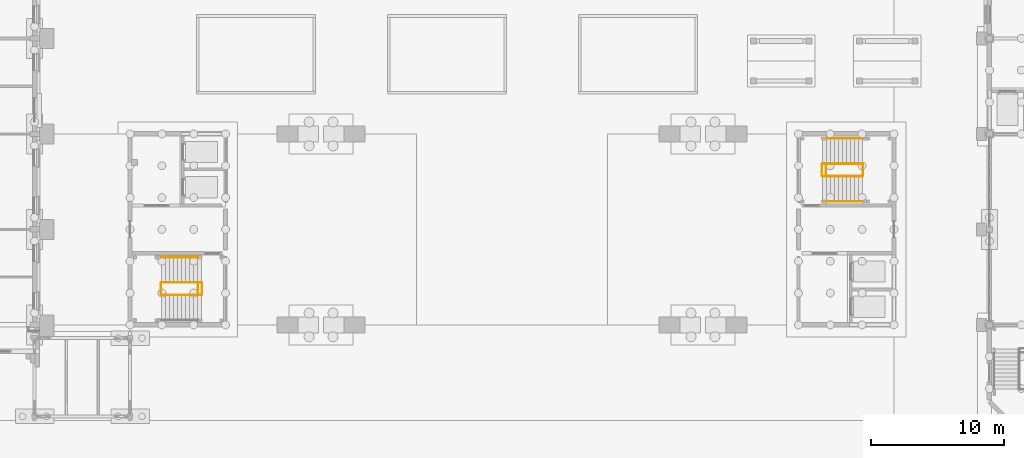
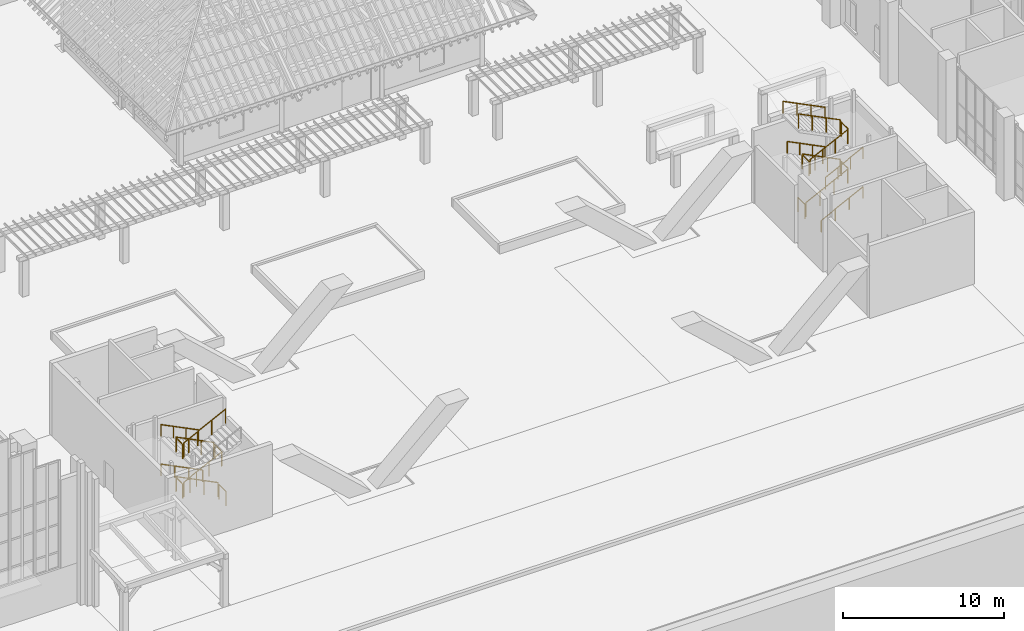
# One storey, part 74 of 84: 22 railings.
"""IFC4 building model written with IfcOpenShell, lengths in metres."""

from ifc_helpers import new_model, si_unit, direction, frame, origin, origin_2d, place, context, subcontext, project, spatial, circle, extrude, material, type_object, element, save


model = new_model("IFC4")

# Units and contexts
model_context = context("Model", 3, precision=1e-05, world=origin(), true_north=direction((0.0, 1.0)))
body_context = subcontext(model_context, "Body", "Model", "MODEL_VIEW")
ifc_project = project(units=[si_unit("LENGTHUNIT", "METRE"), si_unit("AREAUNIT", "SQUARE_METRE"), si_unit("VOLUMEUNIT", "CUBIC_METRE"), si_unit("PLANEANGLEUNIT", "RADIAN"), si_unit("MASSUNIT", "GRAM", prefix="KILO")], contexts=[model_context])

# Site, building, storey
site_placement = place(None, origin())
site = spatial("IfcSite", under=ifc_project, at=site_placement, CompositionType="ELEMENT")
building_placement = place(site_placement, origin())
building = spatial("IfcBuilding", under=site, at=building_placement, Name="Mazhai Court Health Centre", CompositionType="ELEMENT")
storey_placement = place(building_placement, origin())
storey = spatial("IfcBuildingStorey", under=building, at=storey_placement, Name="L00", CompositionType="ELEMENT", Elevation=0.0)

# Railings
ifc_material_1 = material(Name="Steel IS 2062 E250", Category="steel")
railing_type_1 = type_object("IfcRailingType", Name="STAIR GUARD 1100", PredefinedType="GUARDRAIL", material=ifc_material_1)
railing_1_placement = place(storey_placement, frame((76.375, 16.594970703125, 0.14990234375)))
element("IfcRailing", 1, at=railing_1_placement, inside=storey, type_object=railing_type_1, Name="L00 ST6 stair guard 1", PredefinedType="GUARDRAIL", context=body_context, shape_type="SweptSolid", body=[
    extrude(circle(Radius=0.02392578125, at=origin_2d()), frame((0.0, 0.0, 1.076171875), z_axis=(-0.894427191, 0.0, 0.4472135955), x_axis=(0.0, -1.0, 0.0)), (0.0, 0.0, 1.0), 3.35400390625),
    extrude(circle(Radius=0.02099609375, at=origin_2d()), origin(), (0.0, 0.0, 1.0), 1.052001953125),
    extrude(circle(Radius=0.02099609375, at=origin_2d()), frame((-1.0, 0.0, 0.5)), (0.0, 0.0, 1.0), 1.052001953125),
    extrude(circle(Radius=0.02099609375, at=origin_2d()), frame((-2.0, 0.0, 1.0)), (0.0, 0.0, 1.0), 1.052001953125),
    extrude(circle(Radius=0.02099609375, at=origin_2d()), frame((-3.0, 0.0, 1.5)), (0.0, 0.0, 1.0), 1.052001953125),
])
railing_2_placement = place(storey_placement, frame((73.324951171875, 16.544921875, 1.64990234375)))
element("IfcRailing", 2, at=railing_2_placement, inside=storey, type_object=railing_type_1, Name="L00 ST6 stair guard 2", PredefinedType="GUARDRAIL", context=body_context, shape_type="SweptSolid", body=[
    extrude(circle(Radius=0.02392578125, at=origin_2d()), frame((0.0, 0.0, 1.076171875), z_axis=(0.0, -1.0, 0.0), x_axis=(1.0, 0.0, 0.0)), (0.0, 0.0, 1.0), 0.849853515625),
    extrude(circle(Radius=0.02099609375, at=origin_2d()), origin(), (0.0, 0.0, 1.0), 1.052001953125),
    extrude(circle(Radius=0.02099609375, at=origin_2d()), frame((0.0, -0.849853515625, 0.0)), (0.0, 0.0, 1.0), 1.052001953125),
])
railing_3_placement = place(storey_placement, frame((73.375, 15.64501953125, 1.800048828125)))
element("IfcRailing", 3, at=railing_3_placement, inside=storey, type_object=railing_type_1, Name="L00 ST6 stair guard 3", PredefinedType="GUARDRAIL", context=body_context, shape_type="SweptSolid", body=[
    extrude(circle(Radius=0.02392578125, at=origin_2d()), frame((0.0, 0.0, 1.076171875), z_axis=(0.89444336626, 0.0, 0.447181243517), x_axis=(0.0, 1.0, 0.0)), (0.0, 0.0, 1.0), 3.0185546875),
    extrude(circle(Radius=0.02099609375, at=origin_2d()), origin(), (0.0, 0.0, 1.0), 1.052001953125),
    extrude(circle(Radius=0.02099609375, at=origin_2d()), frame((0.89990234375, 0.0, 0.449951171875)), (0.0, 0.0, 1.0), 1.052001953125),
    extrude(circle(Radius=0.02099609375, at=origin_2d()), frame((1.800048828125, 0.0, 0.89990234375)), (0.0, 0.0, 1.0), 1.052001953125),
    extrude(circle(Radius=0.02099609375, at=origin_2d()), frame((2.699951171875, 0.0, 1.349853515625)), (0.0, 0.0, 1.0), 1.052001953125),
])
railing_4_placement = place(storey_placement, frame((76.125, 16.544921875, 3.14990234375)))
element("IfcRailing", 4, at=railing_4_placement, inside=storey, type_object=railing_type_1, Name="L00 ST6 stair guard 4", PredefinedType="GUARDRAIL", context=body_context, shape_type="SweptSolid", body=[
    extrude(circle(Radius=0.02392578125, at=origin_2d()), frame((0.0, 0.0, 1.076171875), z_axis=(0.0, -1.0, 0.0), x_axis=(1.0, 0.0, 0.0)), (0.0, 0.0, 1.0), 0.849853515625),
    extrude(circle(Radius=0.02099609375, at=origin_2d()), origin(), (0.0, 0.0, 1.0), 1.052001953125),
    extrude(circle(Radius=0.02099609375, at=origin_2d()), frame((0.0, -0.849853515625, 0.0)), (0.0, 0.0, 1.0), 1.052001953125),
])
railing_5_placement = place(storey_placement, frame((76.074951171875, 16.594970703125, 3.300048828125)))
element("IfcRailing", 5, at=railing_5_placement, inside=storey, type_object=railing_type_1, Name="L00 ST6 stair guard 5", PredefinedType="GUARDRAIL", context=body_context, shape_type="SweptSolid", body=[
    extrude(circle(Radius=0.02392578125, at=origin_2d()), frame((0.0, 0.0, 1.076171875), z_axis=(-0.89444336626, 0.0, 0.447181243517), x_axis=(0.0, -1.0, 0.0)), (0.0, 0.0, 1.0), 3.0185546875),
    extrude(circle(Radius=0.02099609375, at=origin_2d()), origin(), (0.0, 0.0, 1.0), 1.052001953125),
    extrude(circle(Radius=0.02099609375, at=origin_2d()), frame((-0.89990234375, 0.0, 0.449951171875)), (0.0, 0.0, 1.0), 1.052001953125),
    extrude(circle(Radius=0.02099609375, at=origin_2d()), frame((-1.800048828125, 0.0, 0.89990234375)), (0.0, 0.0, 1.0), 1.052001953125),
    extrude(circle(Radius=0.02099609375, at=origin_2d()), frame((-2.699951171875, 0.0, 1.349853515625)), (0.0, 0.0, 1.0), 1.052001953125),
])
railing_6_placement = place(storey_placement, frame((73.324951171875, 16.544921875, 4.64990234375)))
element("IfcRailing", 6, at=railing_6_placement, inside=storey, type_object=railing_type_1, Name="L00 ST6 stair guard 6", PredefinedType="GUARDRAIL", context=body_context, shape_type="SweptSolid", body=[
    extrude(circle(Radius=0.02392578125, at=origin_2d()), frame((0.0, 0.0, 1.076171875), z_axis=(0.0, -1.0, 0.0), x_axis=(1.0, 0.0, 0.0)), (0.0, 0.0, 1.0), 0.849853515625),
    extrude(circle(Radius=0.02099609375, at=origin_2d()), origin(), (0.0, 0.0, 1.0), 1.052001953125),
    extrude(circle(Radius=0.02099609375, at=origin_2d()), frame((0.0, -0.849853515625, 0.0)), (0.0, 0.0, 1.0), 1.052001953125),
])
railing_7_placement = place(storey_placement, frame((73.375, 15.64501953125, 4.800048828125)))
element("IfcRailing", 7, at=railing_7_placement, inside=storey, type_object=railing_type_1, Name="L00 ST6 stair guard 7", PredefinedType="GUARDRAIL", context=body_context, shape_type="SweptSolid", body=[
    extrude(circle(Radius=0.02392578125, at=origin_2d()), frame((0.0, 0.0, 1.076171875), z_axis=(0.894427191, 0.0, 0.4472135955), x_axis=(0.0, 1.0, 0.0)), (0.0, 0.0, 1.0), 3.35400390625),
    extrude(circle(Radius=0.02099609375, at=origin_2d()), origin(), (0.0, 0.0, 1.0), 1.052001953125),
    extrude(circle(Radius=0.02099609375, at=origin_2d()), frame((1.0, 0.0, 0.5)), (0.0, 0.0, 1.0), 1.052001953125),
    extrude(circle(Radius=0.02099609375, at=origin_2d()), frame((2.0, 0.0, 1.0)), (0.0, 0.0, 1.0), 1.052001953125),
    extrude(circle(Radius=0.02099609375, at=origin_2d()), frame((3.0, 0.0, 1.5)), (0.0, 0.0, 1.0), 1.052001953125),
])
railing_8_placement = place(storey_placement, frame((76.425048828125, 16.544921875, 0.0)))
element("IfcRailing", 8, at=railing_8_placement, inside=storey, type_object=railing_type_1, Name="L00 ST6 stair guard 8", PredefinedType="GUARDRAIL", context=body_context, shape_type="SweptSolid", body=[
    extrude(circle(Radius=0.02392578125, at=origin_2d()), frame((0.0, 0.0, 1.076171875), z_axis=(0.0, -1.0, 0.0), x_axis=(1.0, 0.0, 0.0)), (0.0, 0.0, 1.0), 0.849853515625),
    extrude(circle(Radius=0.02099609375, at=origin_2d()), origin(), (0.0, 0.0, 1.0), 1.052001953125),
    extrude(circle(Radius=0.02099609375, at=origin_2d()), frame((0.0, -0.849853515625, 0.0)), (0.0, 0.0, 1.0), 1.052001953125),
])
railing_9_placement = place(storey_placement, frame((123.22509765625, 24.60498046875, 0.14990234375)))
element("IfcRailing", 9, at=railing_9_placement, inside=storey, type_object=railing_type_1, Name="L00 ST7 stair guard 1", PredefinedType="GUARDRAIL", context=body_context, shape_type="SweptSolid", body=[
    extrude(circle(Radius=0.02392578125, at=origin_2d()), frame((0.0, 0.0, 1.076171875), z_axis=(0.894427191, 0.0, 0.4472135955), x_axis=(0.0, 1.0, 0.0)), (0.0, 0.0, 1.0), 3.35400390625),
    extrude(circle(Radius=0.02099609375, at=origin_2d()), origin(), (0.0, 0.0, 1.0), 1.052001953125),
    extrude(circle(Radius=0.02099609375, at=origin_2d()), frame((1.0, 0.0, 0.5)), (0.0, 0.0, 1.0), 1.052001953125),
    extrude(circle(Radius=0.02099609375, at=origin_2d()), frame((2.0, 0.0, 1.0)), (0.0, 0.0, 1.0), 1.052001953125),
    extrude(circle(Radius=0.02099609375, at=origin_2d()), frame((3.0, 0.0, 1.5)), (0.0, 0.0, 1.0), 1.052001953125),
])
railing_10_placement = place(storey_placement, frame((126.27490234375, 24.655029296875, 1.64990234375)))
element("IfcRailing", 10, at=railing_10_placement, inside=storey, type_object=railing_type_1, Name="L00 ST7 stair guard 2", PredefinedType="GUARDRAIL", context=body_context, shape_type="SweptSolid", body=[
    extrude(circle(Radius=0.02392578125, at=origin_2d()), frame((0.0, 0.0, 1.076171875), z_axis=(0.0, 1.0, 0.0), x_axis=(-1.0, 0.0, 0.0)), (0.0, 0.0, 1.0), 0.849853515625),
    extrude(circle(Radius=0.02099609375, at=origin_2d()), origin(), (0.0, 0.0, 1.0), 1.052001953125),
    extrude(circle(Radius=0.02099609375, at=origin_2d()), frame((0.0, 0.849853515625, 0.0)), (0.0, 0.0, 1.0), 1.052001953125),
])
railing_11_placement = place(storey_placement, frame((126.22509765625, 25.554931640625, 1.800048828125)))
element("IfcRailing", 11, at=railing_11_placement, inside=storey, type_object=railing_type_1, Name="L00 ST7 stair guard 3", PredefinedType="GUARDRAIL", context=body_context, shape_type="SweptSolid", body=[
    extrude(circle(Radius=0.02392578125, at=origin_2d()), frame((0.0, 0.0, 1.076171875), z_axis=(-0.89445953801, 0.0, 0.447148895629), x_axis=(0.0, -1.0, 0.0)), (0.0, 0.0, 1.0), 3.018798828125),
    extrude(circle(Radius=0.02099609375, at=origin_2d()), origin(), (0.0, 0.0, 1.0), 1.052001953125),
    extrude(circle(Radius=0.02099609375, at=origin_2d()), frame((-0.900146484375, 0.0, 0.449951171875)), (0.0, 0.0, 1.0), 1.052001953125),
    extrude(circle(Radius=0.02099609375, at=origin_2d()), frame((-1.800048828125, 0.0, 0.89990234375)), (0.0, 0.0, 1.0), 1.052001953125),
    extrude(circle(Radius=0.02099609375, at=origin_2d()), frame((-2.7001953125, 0.0, 1.349853515625)), (0.0, 0.0, 1.0), 1.052001953125),
])
railing_12_placement = place(storey_placement, frame((123.47509765625, 24.655029296875, 3.14990234375)))
element("IfcRailing", 12, at=railing_12_placement, inside=storey, type_object=railing_type_1, Name="L00 ST7 stair guard 4", PredefinedType="GUARDRAIL", context=body_context, shape_type="SweptSolid", body=[
    extrude(circle(Radius=0.02392578125, at=origin_2d()), frame((0.0, 0.0, 1.076171875), z_axis=(0.0, 1.0, 0.0), x_axis=(-1.0, 0.0, 0.0)), (0.0, 0.0, 1.0), 0.849853515625),
    extrude(circle(Radius=0.02099609375, at=origin_2d()), origin(), (0.0, 0.0, 1.0), 1.052001953125),
    extrude(circle(Radius=0.02099609375, at=origin_2d()), frame((0.0, 0.849853515625, 0.0)), (0.0, 0.0, 1.0), 1.052001953125),
])
railing_13_placement = place(storey_placement, frame((123.52490234375, 24.60498046875, 3.300048828125)))
element("IfcRailing", 13, at=railing_13_placement, inside=storey, type_object=railing_type_1, Name="L00 ST7 stair guard 5", PredefinedType="GUARDRAIL", context=body_context, shape_type="SweptSolid", body=[
    extrude(circle(Radius=0.02392578125, at=origin_2d()), frame((0.0, 0.0, 1.076171875), z_axis=(0.89445953801, 0.0, 0.447148895629), x_axis=(0.0, 1.0, 0.0)), (0.0, 0.0, 1.0), 3.018798828125),
    extrude(circle(Radius=0.02099609375, at=origin_2d()), origin(), (0.0, 0.0, 1.0), 1.052001953125),
    extrude(circle(Radius=0.02099609375, at=origin_2d()), frame((0.900146484375, 0.0, 0.449951171875)), (0.0, 0.0, 1.0), 1.052001953125),
    extrude(circle(Radius=0.02099609375, at=origin_2d()), frame((1.800048828125, 0.0, 0.89990234375)), (0.0, 0.0, 1.0), 1.052001953125),
    extrude(circle(Radius=0.02099609375, at=origin_2d()), frame((2.7001953125, 0.0, 1.349853515625)), (0.0, 0.0, 1.0), 1.052001953125),
])
railing_14_placement = place(storey_placement, frame((126.27490234375, 24.655029296875, 4.64990234375)))
element("IfcRailing", 14, at=railing_14_placement, inside=storey, type_object=railing_type_1, Name="L00 ST7 stair guard 6", PredefinedType="GUARDRAIL", context=body_context, shape_type="SweptSolid", body=[
    extrude(circle(Radius=0.02392578125, at=origin_2d()), frame((0.0, 0.0, 1.076171875), z_axis=(0.0, 1.0, 0.0), x_axis=(-1.0, 0.0, 0.0)), (0.0, 0.0, 1.0), 0.849853515625),
    extrude(circle(Radius=0.02099609375, at=origin_2d()), origin(), (0.0, 0.0, 1.0), 1.052001953125),
    extrude(circle(Radius=0.02099609375, at=origin_2d()), frame((0.0, 0.849853515625, 0.0)), (0.0, 0.0, 1.0), 1.052001953125),
])
railing_15_placement = place(storey_placement, frame((126.22509765625, 25.554931640625, 4.800048828125)))
element("IfcRailing", 15, at=railing_15_placement, inside=storey, type_object=railing_type_1, Name="L00 ST7 stair guard 7", PredefinedType="GUARDRAIL", context=body_context, shape_type="SweptSolid", body=[
    extrude(circle(Radius=0.02392578125, at=origin_2d()), frame((0.0, 0.0, 1.076171875), z_axis=(-0.894427191, 0.0, 0.4472135955), x_axis=(0.0, -1.0, 0.0)), (0.0, 0.0, 1.0), 3.35400390625),
    extrude(circle(Radius=0.02099609375, at=origin_2d()), origin(), (0.0, 0.0, 1.0), 1.052001953125),
    extrude(circle(Radius=0.02099609375, at=origin_2d()), frame((-1.0, 0.0, 0.5)), (0.0, 0.0, 1.0), 1.052001953125),
    extrude(circle(Radius=0.02099609375, at=origin_2d()), frame((-2.0, 0.0, 1.0)), (0.0, 0.0, 1.0), 1.052001953125),
    extrude(circle(Radius=0.02099609375, at=origin_2d()), frame((-3.0, 0.0, 1.5)), (0.0, 0.0, 1.0), 1.052001953125),
])
railing_16_placement = place(storey_placement, frame((123.175048828125, 24.655029296875, 0.0)))
element("IfcRailing", 16, at=railing_16_placement, inside=storey, type_object=railing_type_1, Name="L00 ST7 stair guard 8", PredefinedType="GUARDRAIL", context=body_context, shape_type="SweptSolid", body=[
    extrude(circle(Radius=0.02392578125, at=origin_2d()), frame((0.0, 0.0, 1.076171875), z_axis=(0.0, 1.0, 0.0), x_axis=(-1.0, 0.0, 0.0)), (0.0, 0.0, 1.0), 0.849853515625),
    extrude(circle(Radius=0.02099609375, at=origin_2d()), origin(), (0.0, 0.0, 1.0), 1.052001953125),
    extrude(circle(Radius=0.02099609375, at=origin_2d()), frame((0.0, 0.849853515625, 0.0)), (0.0, 0.0, 1.0), 1.052001953125),
])
ifc_material_2 = material(Name="Steel IS 2062 E250", Category="steel")
railing_type_2 = type_object("IfcRailingType", Name="STAIR HANDRAIL 900", PredefinedType="HANDRAIL", material=ifc_material_2)
railing_17_placement = place(storey_placement, frame((76.375, 18.4951171875, 0.14990234375)))
element("IfcRailing", 17, at=railing_17_placement, inside=storey, type_object=railing_type_2, Name="L00 ST6 stair handrail 1", PredefinedType="HANDRAIL", context=body_context, shape_type="SweptSolid", body=[
    extrude(circle(Radius=0.02392578125, at=origin_2d()), frame((0.0, 0.0, 0.8759765625), z_axis=(-0.894427191, 0.0, 0.4472135955), x_axis=(0.0, -1.0, 0.0)), (0.0, 0.0, 1.0), 3.35400390625),
    extrude(circle(Radius=0.02099609375, at=origin_2d()), origin(), (0.0, 0.0, 1.0), 0.851806640625),
    extrude(circle(Radius=0.02099609375, at=origin_2d()), frame((-1.0, 0.0, 0.5)), (0.0, 0.0, 1.0), 0.851806640625),
    extrude(circle(Radius=0.02099609375, at=origin_2d()), frame((-2.0, 0.0, 1.0)), (0.0, 0.0, 1.0), 0.851806640625),
    extrude(circle(Radius=0.02099609375, at=origin_2d()), frame((-3.0, 0.0, 1.5)), (0.0, 0.0, 1.0), 0.851806640625),
])
railing_18_placement = place(storey_placement, frame((76.074951171875, 18.4951171875, 3.300048828125)))
element("IfcRailing", 18, at=railing_18_placement, inside=storey, type_object=railing_type_2, Name="L00 ST6 stair handrail 3", PredefinedType="HANDRAIL", context=body_context, shape_type="SweptSolid", body=[
    extrude(circle(Radius=0.02392578125, at=origin_2d()), frame((0.0, 0.0, 0.8759765625), z_axis=(-0.89444336626, 0.0, 0.447181243517), x_axis=(0.0, -1.0, 0.0)), (0.0, 0.0, 1.0), 3.0185546875),
    extrude(circle(Radius=0.02099609375, at=origin_2d()), origin(), (0.0, 0.0, 1.0), 0.851806640625),
    extrude(circle(Radius=0.02099609375, at=origin_2d()), frame((-0.89990234375, 0.0, 0.449951171875)), (0.0, 0.0, 1.0), 0.851806640625),
    extrude(circle(Radius=0.02099609375, at=origin_2d()), frame((-1.800048828125, 0.0, 0.89990234375)), (0.0, 0.0, 1.0), 0.851806640625),
    extrude(circle(Radius=0.02099609375, at=origin_2d()), frame((-2.699951171875, 0.0, 1.349853515625)), (0.0, 0.0, 1.0), 0.851806640625),
])
railing_19_placement = place(storey_placement, frame((123.22509765625, 22.705078125, 0.14990234375)))
element("IfcRailing", 19, at=railing_19_placement, inside=storey, type_object=railing_type_2, Name="L00 ST7 stair handrail 1", PredefinedType="HANDRAIL", context=body_context, shape_type="SweptSolid", body=[
    extrude(circle(Radius=0.02392578125, at=origin_2d()), frame((0.0, 0.0, 0.8759765625), z_axis=(0.894427191, 0.0, 0.4472135955), x_axis=(0.0, 1.0, 0.0)), (0.0, 0.0, 1.0), 3.35400390625),
    extrude(circle(Radius=0.02099609375, at=origin_2d()), origin(), (0.0, 0.0, 1.0), 0.851806640625),
    extrude(circle(Radius=0.02099609375, at=origin_2d()), frame((1.0, 0.0, 0.5)), (0.0, 0.0, 1.0), 0.851806640625),
    extrude(circle(Radius=0.02099609375, at=origin_2d()), frame((2.0, 0.0, 1.0)), (0.0, 0.0, 1.0), 0.851806640625),
    extrude(circle(Radius=0.02099609375, at=origin_2d()), frame((3.0, 0.0, 1.5)), (0.0, 0.0, 1.0), 0.851806640625),
])
railing_20_placement = place(storey_placement, frame((126.22509765625, 27.455078125, 1.800048828125)))
element("IfcRailing", 20, at=railing_20_placement, inside=storey, type_object=railing_type_2, Name="L00 ST7 stair handrail 2", PredefinedType="HANDRAIL", context=body_context, shape_type="SweptSolid", body=[
    extrude(circle(Radius=0.02392578125, at=origin_2d()), frame((0.0, 0.0, 0.8759765625), z_axis=(-0.89445953801, 0.0, 0.447148895629), x_axis=(0.0, -1.0, 0.0)), (0.0, 0.0, 1.0), 3.018798828125),
    extrude(circle(Radius=0.02099609375, at=origin_2d()), origin(), (0.0, 0.0, 1.0), 0.851806640625),
    extrude(circle(Radius=0.02099609375, at=origin_2d()), frame((-0.900146484375, 0.0, 0.449951171875)), (0.0, 0.0, 1.0), 0.851806640625),
    extrude(circle(Radius=0.02099609375, at=origin_2d()), frame((-1.800048828125, 0.0, 0.89990234375)), (0.0, 0.0, 1.0), 0.851806640625),
    extrude(circle(Radius=0.02099609375, at=origin_2d()), frame((-2.7001953125, 0.0, 1.349853515625)), (0.0, 0.0, 1.0), 0.851806640625),
])
railing_21_placement = place(storey_placement, frame((123.52490234375, 22.705078125, 3.300048828125)))
element("IfcRailing", 21, at=railing_21_placement, inside=storey, type_object=railing_type_2, Name="L00 ST7 stair handrail 3", PredefinedType="HANDRAIL", context=body_context, shape_type="SweptSolid", body=[
    extrude(circle(Radius=0.02392578125, at=origin_2d()), frame((0.0, 0.0, 0.8759765625), z_axis=(0.89445953801, 0.0, 0.447148895629), x_axis=(0.0, 1.0, 0.0)), (0.0, 0.0, 1.0), 3.018798828125),
    extrude(circle(Radius=0.02099609375, at=origin_2d()), origin(), (0.0, 0.0, 1.0), 0.851806640625),
    extrude(circle(Radius=0.02099609375, at=origin_2d()), frame((0.900146484375, 0.0, 0.449951171875)), (0.0, 0.0, 1.0), 0.851806640625),
    extrude(circle(Radius=0.02099609375, at=origin_2d()), frame((1.800048828125, 0.0, 0.89990234375)), (0.0, 0.0, 1.0), 0.851806640625),
    extrude(circle(Radius=0.02099609375, at=origin_2d()), frame((2.7001953125, 0.0, 1.349853515625)), (0.0, 0.0, 1.0), 0.851806640625),
])
railing_22_placement = place(storey_placement, frame((126.22509765625, 27.455078125, 4.800048828125)))
element("IfcRailing", 22, at=railing_22_placement, inside=storey, type_object=railing_type_2, Name="L00 ST7 stair handrail 4", PredefinedType="HANDRAIL", context=body_context, shape_type="SweptSolid", body=[
    extrude(circle(Radius=0.02392578125, at=origin_2d()), frame((0.0, 0.0, 0.8759765625), z_axis=(-0.894427191, 0.0, 0.4472135955), x_axis=(0.0, -1.0, 0.0)), (0.0, 0.0, 1.0), 3.35400390625),
    extrude(circle(Radius=0.02099609375, at=origin_2d()), origin(), (0.0, 0.0, 1.0), 0.851806640625),
    extrude(circle(Radius=0.02099609375, at=origin_2d()), frame((-1.0, 0.0, 0.5)), (0.0, 0.0, 1.0), 0.851806640625),
    extrude(circle(Radius=0.02099609375, at=origin_2d()), frame((-2.0, 0.0, 1.0)), (0.0, 0.0, 1.0), 0.851806640625),
    extrude(circle(Radius=0.02099609375, at=origin_2d()), frame((-3.0, 0.0, 1.5)), (0.0, 0.0, 1.0), 0.851806640625),
])

save(model, "model.ifc")
